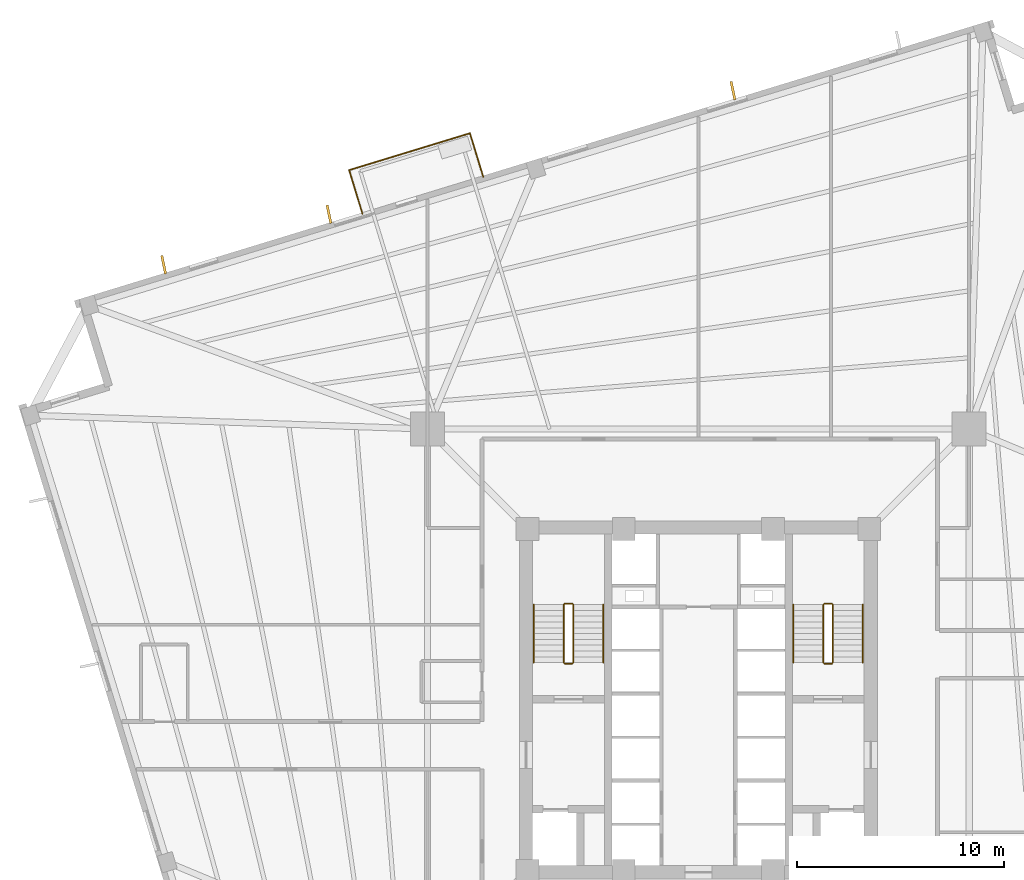
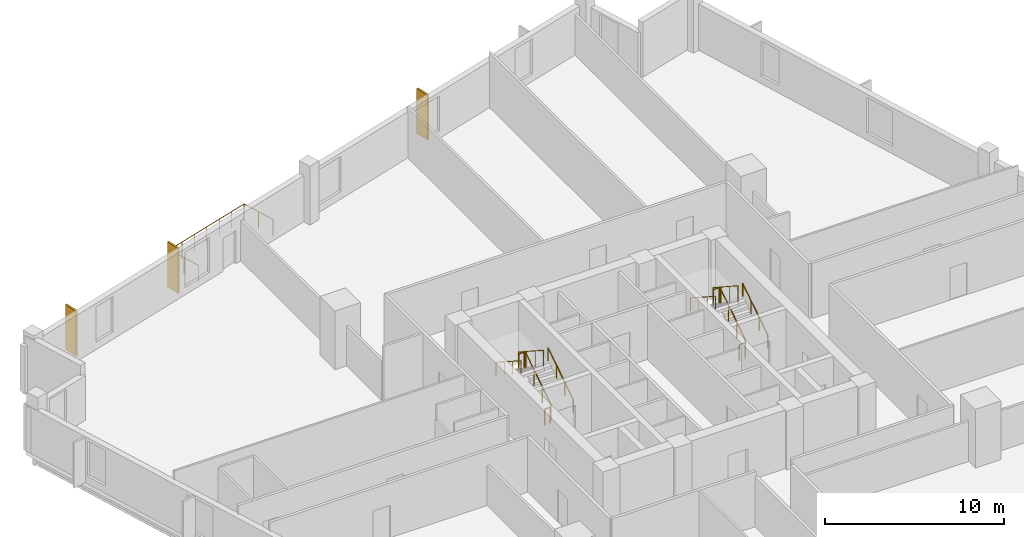
# One storey, part 7 of 8: 15 railings, 3 coverings.
"""IFC4 building model written with IfcOpenShell, lengths in metres."""

from ifc_helpers import new_model, si_unit, direction, frame, origin, origin_2d, place, context, subcontext, project, spatial, rectangle, circle, extrude, source, transform, mapped, material, layer, layer_set, type_object, element, save


model = new_model("IFC4")

# Units and contexts
model_context = context("Model", 3, precision=1e-05, world=origin(), true_north=direction((0.0, 1.0)))
body_context = subcontext(model_context, "Body", "Model", "MODEL_VIEW")
ifc_project = project(units=[si_unit("LENGTHUNIT", "METRE"), si_unit("AREAUNIT", "SQUARE_METRE"), si_unit("VOLUMEUNIT", "CUBIC_METRE"), si_unit("PLANEANGLEUNIT", "RADIAN"), si_unit("MASSUNIT", "GRAM", prefix="KILO"), si_unit("THERMODYNAMICTEMPERATUREUNIT", "KELVIN")], contexts=[model_context])

# Site, building, storey
site_placement = place(None, origin())
site = spatial("IfcSite", under=ifc_project, at=site_placement, CompositionType="ELEMENT")
building_placement = place(site_placement, origin())
building = spatial("IfcBuilding", under=site, at=building_placement, Name="Kosmvard Interchange Tower", CompositionType="ELEMENT")
storey_placement = place(building_placement, frame((0.0, 0.0, 123.199951171875)))
storey = spatial("IfcBuildingStorey", under=building, at=storey_placement, Name="L29", CompositionType="ELEMENT", Elevation=123.199951171875)

# Coverings
ifc_material_1 = material(Name="Architectural anodised aluminium", Category="aluminium")
ifc_layer = layer(ifc_material_1, 0.1201171875, Name="Architectural anodised aluminium")
ifc_layer_set = layer_set([ifc_layer], Name="Architectural anodised aluminium")
covering_type = type_object("IfcCoveringType", Name="Rotating Vertical Sun-Breaker Fin 900x120 Aluminium", PredefinedType="CLADDING", material=ifc_layer_set)
shared_shape_1 = source(origin(), body_context, "Body", "SweptSolid", [
    extrude(rectangle(XDim=0.89990234375, YDim=0.1201171875, at=origin_2d()), origin(), (0.0, 0.0, 1.0), 3.06005859375),
])
for number, where, z_axis, x_axis, name in (
    (1, (1.673583984375, 29.425048828125, 0.0400390625), (0.0, 0.0, 1.0), (-0.204837728554, 0.978795946539, 0.0), "L29 Rotating Vertical Sun-Breaker Fin 10"),
    (2, (-17.841796875, 23.45849609375, 0.0400390625), (0.0, 0.0, 1.0), (-0.204837728554, 0.978795946539, 0.0), "L29 Rotating Vertical Sun-Breaker Fin 11"),
    (3, (-25.825439453125, 21.017822265625, 0.0400390625), (0.0, 0.0, 1.0), (-0.204837728554, 0.978795946539, 0.0), "L29 Rotating Vertical Sun-Breaker Fin 12"),
):
    element("IfcCovering", number, at=place(storey_placement, frame(where, z_axis=z_axis, x_axis=x_axis)), inside=storey, type_object=covering_type, Name=name, PredefinedType="CLADDING", context=body_context, shape_type="MappedRepresentation", body=[
        mapped(shared_shape_1, transform((0.0, 0.0, 0.0), scale=1.0)),
    ])

# Railings
ifc_material_2 = material(Name="Steel S355", Category="steel")
railing_type_1 = type_object("IfcRailingType", Name="Observation & Balcony Glass-Infill Balustrade 1150", PredefinedType="BALUSTRADE", material=ifc_material_2)
shared_shape_2 = source(origin(), body_context, "Body", "SweptSolid", [
    extrude(circle(Radius=0.02392578125, at=origin_2d()), frame((0.0, 0.0, 1.1259765625), z_axis=(0.292291835236, -0.956329170869, 0.0), x_axis=(0.956329170869, 0.292291835236, 0.0)), (0.0, 0.0, 1.0), 2.2001953125),
    extrude(circle(Radius=0.02099609375, at=origin_2d()), origin(), (0.0, 0.0, 1.0), 1.101806640625),
    extrude(circle(Radius=0.02099609375, at=origin_2d()), frame((0.321533203125, -1.052001953125, 0.0)), (0.0, 0.0, 1.0), 1.101806640625),
    extrude(circle(Radius=0.02099609375, at=origin_2d()), frame((0.64306640625, -2.10400390625, 0.0)), (0.0, 0.0, 1.0), 1.101806640625),
])
railing_1_placement = place(storey_placement, frame((-16.86767578125, 25.58642578125, 0.0)))
element("IfcRailing", 4, at=railing_1_placement, inside=storey, type_object=railing_type_1, Name="L29 Outdoor Terrace Guard BAL-L29-NE-C", PredefinedType="BALUSTRADE", context=body_context, shape_type="MappedRepresentation", body=[
    mapped(shared_shape_2, transform((0.0, 0.0, 0.0), scale=1.0)),
])
shared_shape_3 = source(origin(), body_context, "Body", "SweptSolid", [
    extrude(circle(Radius=0.02392578125, at=origin_2d()), frame((0.0, 0.0, 1.1259765625), z_axis=(-0.292291835236, 0.956329170869, 0.0), x_axis=(-0.956329170869, -0.292291835236, 0.0)), (0.0, 0.0, 1.0), 2.2001953125),
    extrude(circle(Radius=0.02099609375, at=origin_2d()), origin(), (0.0, 0.0, 1.0), 1.101806640625),
    extrude(circle(Radius=0.02099609375, at=origin_2d()), frame((-0.321533203125, 1.052001953125, 0.0)), (0.0, 0.0, 1.0), 1.101806640625),
    extrude(circle(Radius=0.02099609375, at=origin_2d()), frame((-0.64306640625, 2.10400390625, 0.0)), (0.0, 0.0, 1.0), 1.101806640625),
])
railing_2_placement = place(storey_placement, frame((-10.39111328125, 25.265869140625, 0.0)))
element("IfcRailing", 5, at=railing_2_placement, inside=storey, type_object=railing_type_1, Name="L29 Outdoor Terrace Guard BAL-L29-NE-A", PredefinedType="BALUSTRADE", context=body_context, shape_type="MappedRepresentation", body=[
    mapped(shared_shape_3, transform((0.0, 0.0, 0.0), scale=1.0)),
])
shared_shape_4 = source(origin(), body_context, "Body", "SweptSolid", [
    extrude(circle(Radius=0.02392578125, at=origin_2d()), frame((0.0, 0.0, 1.1259765625), z_axis=(-0.956306198406, -0.292366986664, 0.0), x_axis=(0.292366986664, -0.956306198406, 0.0)), (0.0, 0.0, 1.0), 6.10009765625),
    extrude(circle(Radius=0.02099609375, at=origin_2d()), origin(), (0.0, 0.0, 1.0), 1.101806640625),
    extrude(circle(Radius=0.02099609375, at=origin_2d()), frame((-0.97216796875, -0.29736328125, 0.0)), (0.0, 0.0, 1.0), 1.101806640625),
    extrude(circle(Radius=0.02099609375, at=origin_2d()), frame((-1.944580078125, -0.594482421875, 0.0)), (0.0, 0.0, 1.0), 1.101806640625),
    extrude(circle(Radius=0.02099609375, at=origin_2d()), frame((-2.916748046875, -0.8916015625, 0.0)), (0.0, 0.0, 1.0), 1.101806640625),
    extrude(circle(Radius=0.02099609375, at=origin_2d()), frame((-3.888916015625, -1.18896484375, 0.0)), (0.0, 0.0, 1.0), 1.101806640625),
    extrude(circle(Radius=0.02099609375, at=origin_2d()), frame((-4.861328125, -1.486328125, 0.0)), (0.0, 0.0, 1.0), 1.101806640625),
    extrude(circle(Radius=0.02099609375, at=origin_2d()), frame((-5.83349609375, -1.783447265625, 0.0)), (0.0, 0.0, 1.0), 1.101806640625),
])
railing_3_placement = place(storey_placement, frame((-11.0341796875, 27.369873046875, 0.0)))
element("IfcRailing", 6, at=railing_3_placement, inside=storey, type_object=railing_type_1, Name="L29 Outdoor Terrace Guard BAL-L29-NE-B", PredefinedType="BALUSTRADE", context=body_context, shape_type="MappedRepresentation", body=[
    mapped(shared_shape_4, transform((0.0, 0.0, 0.0), scale=1.0)),
])
railing_type_2 = type_object("IfcRailingType", Name="Stair & Terrace Safety Guardrail 1100 Steel", PredefinedType="GUARDRAIL", material=ifc_material_2)
shared_shape_5 = source(origin(), body_context, "Body", "SweptSolid", [
    extrude(circle(Radius=0.02392578125, at=origin_2d()), frame((0.0, 0.0, 1.076171875), z_axis=(-1.0, 0.0, 0.0), x_axis=(0.0, -1.0, 0.0)), (0.0, 0.0, 1.0), 0.35986328125),
    extrude(circle(Radius=0.02099609375, at=origin_2d()), origin(), (0.0, 0.0, 1.0), 1.052001953125),
    extrude(circle(Radius=0.02099609375, at=origin_2d()), frame((-0.35986328125, 0.0, 0.0)), (0.0, 0.0, 1.0), 1.052001953125),
])
for number, where, name in (
    (7, (-6.090087890625, 4.64990234375, 2.0), "L29 ST-1 stair guard 2"),
    (8, (-6.090087890625, 1.75, 0.0), "L29 ST-1 stair guard 4"),
    (9, (6.449951171875, 4.64990234375, 2.0), "L29 ST-2 stair guard 2"),
    (10, (6.449951171875, 1.75, 0.0), "L29 ST-2 stair guard 4"),
):
    element("IfcRailing", number, at=place(storey_placement, frame(where)), inside=storey, type_object=railing_type_2, Name=name, PredefinedType="GUARDRAIL", context=body_context, shape_type="MappedRepresentation", body=[
        mapped(shared_shape_5, transform((0.0, 0.0, 0.0), scale=1.0)),
    ])
shared_shape_6 = source(origin(), body_context, "Body", "SweptSolid", [
    extrude(circle(Radius=0.02392578125, at=origin_2d()), frame((0.0, 0.0, 1.076171875), z_axis=(0.0, 0.838705829183, 0.544584733623), x_axis=(-1.0, 0.0, 0.0)), (0.0, 0.0, 1.0), 3.338623046875),
    extrude(circle(Radius=0.02099609375, at=origin_2d()), origin(), (0.0, 0.0, 1.0), 1.052001953125),
    extrude(circle(Radius=0.02099609375, at=origin_2d()), frame((0.0, 0.933349609375, 0.60595703125)), (0.0, 0.0, 1.0), 1.052001953125),
    extrude(circle(Radius=0.02099609375, at=origin_2d()), frame((0.0, 1.86669921875, 1.212158203125)), (0.0, 0.0, 1.0), 1.052001953125),
    extrude(circle(Radius=0.02099609375, at=origin_2d()), frame((0.0, 2.800048828125, 1.818115234375)), (0.0, 0.0, 1.0), 1.052001953125),
])
for number, where, name in (
    (11, (-6.0400390625, 1.800048828125, 0.181884765625), "L29 ST-1 stair guard 1"),
    (12, (6.5, 1.800048828125, 0.181884765625), "L29 ST-2 stair guard 1"),
):
    element("IfcRailing", number, at=place(storey_placement, frame(where)), inside=storey, type_object=railing_type_2, Name=name, PredefinedType="GUARDRAIL", context=body_context, shape_type="MappedRepresentation", body=[
        mapped(shared_shape_6, transform((0.0, 0.0, 0.0), scale=1.0)),
    ])
shared_shape_7 = source(origin(), body_context, "Body", "SweptSolid", [
    extrude(circle(Radius=0.02392578125, at=origin_2d()), frame((0.0, 0.0, 1.076171875), z_axis=(0.0, -0.838705829183, 0.544584733623), x_axis=(1.0, 0.0, 0.0)), (0.0, 0.0, 1.0), 3.338623046875),
    extrude(circle(Radius=0.02099609375, at=origin_2d()), origin(), (0.0, 0.0, 1.0), 1.052001953125),
    extrude(circle(Radius=0.02099609375, at=origin_2d()), frame((0.0, -0.933349609375, 0.60595703125)), (0.0, 0.0, 1.0), 1.052001953125),
    extrude(circle(Radius=0.02099609375, at=origin_2d()), frame((0.0, -1.86669921875, 1.212158203125)), (0.0, 0.0, 1.0), 1.052001953125),
    extrude(circle(Radius=0.02099609375, at=origin_2d()), frame((0.0, -2.800048828125, 1.818115234375)), (0.0, 0.0, 1.0), 1.052001953125),
])
for number, where, name in (
    (13, (-6.5, 4.60009765625, 2.181884765625), "L29 ST-1 stair guard 3"),
    (14, (6.0400390625, 4.60009765625, 2.181884765625), "L29 ST-2 stair guard 3"),
):
    element("IfcRailing", number, at=place(storey_placement, frame(where)), inside=storey, type_object=railing_type_2, Name=name, PredefinedType="GUARDRAIL", context=body_context, shape_type="MappedRepresentation", body=[
        mapped(shared_shape_7, transform((0.0, 0.0, 0.0), scale=1.0)),
    ])
railing_type_3 = type_object("IfcRailingType", Name="Wall-Mounted Stair Handrail 900 Steel", PredefinedType="HANDRAIL", material=ifc_material_2)
shared_shape_8 = source(origin(), body_context, "Body", "SweptSolid", [
    extrude(circle(Radius=0.02392578125, at=origin_2d()), frame((0.0, 0.0, 0.8759765625), z_axis=(0.0, 0.838705829183, 0.544584733623), x_axis=(-1.0, 0.0, 0.0)), (0.0, 0.0, 1.0), 3.338623046875),
    extrude(circle(Radius=0.02099609375, at=origin_2d()), origin(), (0.0, 0.0, 1.0), 0.851806640625),
    extrude(circle(Radius=0.02099609375, at=origin_2d()), frame((0.0, 0.933349609375, 0.60595703125)), (0.0, 0.0, 1.0), 0.851806640625),
    extrude(circle(Radius=0.02099609375, at=origin_2d()), frame((0.0, 1.86669921875, 1.212158203125)), (0.0, 0.0, 1.0), 0.851806640625),
    extrude(circle(Radius=0.02099609375, at=origin_2d()), frame((0.0, 2.800048828125, 1.818115234375)), (0.0, 0.0, 1.0), 0.851806640625),
])
for number, where, name in (
    (15, (-4.590087890625, 1.800048828125, 0.181884765625), "L29 ST-1 stair handrail 1"),
    (16, (7.949951171875, 1.800048828125, 0.181884765625), "L29 ST-2 stair handrail 1"),
):
    element("IfcRailing", number, at=place(storey_placement, frame(where)), inside=storey, type_object=railing_type_3, Name=name, PredefinedType="HANDRAIL", context=body_context, shape_type="MappedRepresentation", body=[
        mapped(shared_shape_8, transform((0.0, 0.0, 0.0), scale=1.0)),
    ])
shared_shape_9 = source(origin(), body_context, "Body", "SweptSolid", [
    extrude(circle(Radius=0.02392578125, at=origin_2d()), frame((0.0, 0.0, 0.8759765625), z_axis=(0.0, -0.838705829183, 0.544584733623), x_axis=(1.0, 0.0, 0.0)), (0.0, 0.0, 1.0), 3.338623046875),
    extrude(circle(Radius=0.02099609375, at=origin_2d()), origin(), (0.0, 0.0, 1.0), 0.851806640625),
    extrude(circle(Radius=0.02099609375, at=origin_2d()), frame((0.0, -0.933349609375, 0.60595703125)), (0.0, 0.0, 1.0), 0.851806640625),
    extrude(circle(Radius=0.02099609375, at=origin_2d()), frame((0.0, -1.86669921875, 1.212158203125)), (0.0, 0.0, 1.0), 0.851806640625),
    extrude(circle(Radius=0.02099609375, at=origin_2d()), frame((0.0, -2.800048828125, 1.818115234375)), (0.0, 0.0, 1.0), 0.851806640625),
])
for number, where, name in (
    (17, (-7.949951171875, 4.60009765625, 2.181884765625), "L29 ST-1 stair handrail 2"),
    (18, (4.590087890625, 4.60009765625, 2.181884765625), "L29 ST-2 stair handrail 2"),
):
    element("IfcRailing", number, at=place(storey_placement, frame(where)), inside=storey, type_object=railing_type_3, Name=name, PredefinedType="HANDRAIL", context=body_context, shape_type="MappedRepresentation", body=[
        mapped(shared_shape_9, transform((0.0, 0.0, 0.0), scale=1.0)),
    ])

save(model, "model.ifc")
